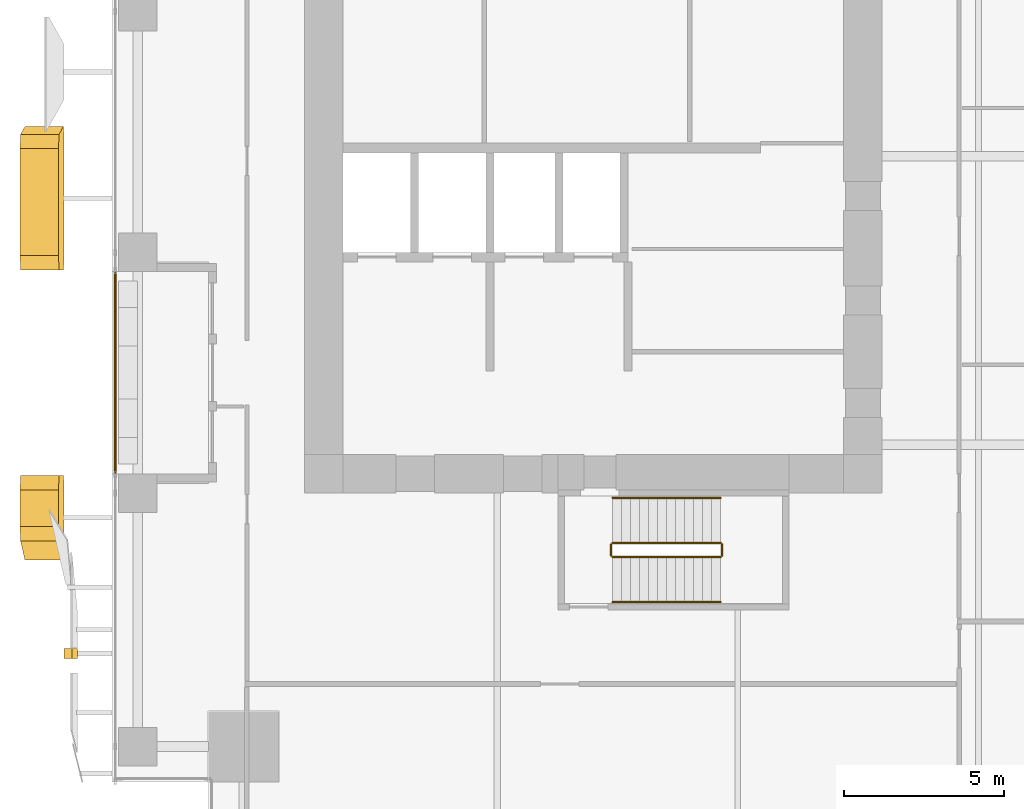
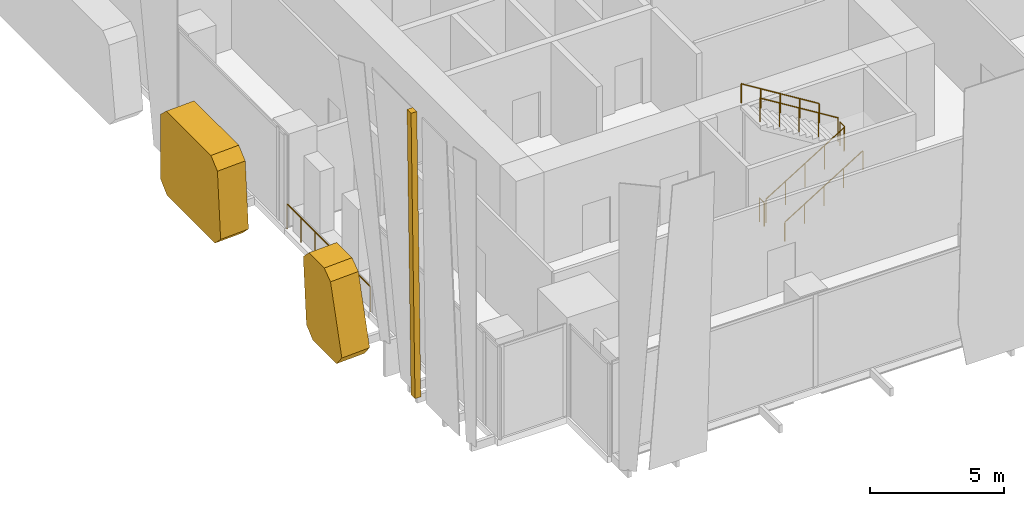
# One storey, part 32 of 36: 7 railings, 3 coverings.
"""IFC4 building model written with IfcOpenShell, lengths in metres."""

from ifc_helpers import new_model, si_unit, direction, frame, origin, origin_2d, place, context, subcontext, project, spatial, polyline, circle, outline, extrude, source, transform, mapped, material, layer, layer_set, type_object, element, save


model = new_model("IFC4")

# Units and contexts
model_context = context("Model", 3, precision=1e-05, world=origin(), true_north=direction((0.0, 1.0)))
body_context = subcontext(model_context, "Body", "Model", "MODEL_VIEW")
ifc_project = project(units=[si_unit("LENGTHUNIT", "METRE"), si_unit("AREAUNIT", "SQUARE_METRE"), si_unit("VOLUMEUNIT", "CUBIC_METRE"), si_unit("PLANEANGLEUNIT", "RADIAN"), si_unit("MASSUNIT", "GRAM", prefix="KILO")], contexts=[model_context])

# Site, building, storey
site_placement = place(None, origin())
site = spatial("IfcSite", under=ifc_project, at=site_placement, CompositionType="ELEMENT")
building_placement = place(site_placement, origin())
building = spatial("IfcBuilding", under=site, at=building_placement, Name="Khomas Fold Tower", CompositionType="ELEMENT")
storey_placement = place(building_placement, frame((0.0, 0.0, 46.5)))
storey = spatial("IfcBuildingStorey", under=building, at=storey_placement, Name="L09", CompositionType="ELEMENT", Elevation=46.5)

# Coverings
ifc_material_1 = material(Name="Natural stone cladding", Category="masonry")
ifc_layer_1 = layer(ifc_material_1, 0.25)
ifc_layer_set_1 = layer_set([ifc_layer_1], Name="Natural stone cladding")
covering_type_1 = type_object("IfcCoveringType", Name="SK-Karibib marble stone mullion", PredefinedType="CLADDING", material=ifc_layer_set_1)
covering_1_placement = place(storey_placement, frame((-1.077392578125, 6.85009765625, 0.0), z_axis=(0.999913772879, 0.0, 0.013131900334), x_axis=(-0.013131900334, 0.0, 0.999913772879)))
element("IfcCovering", 1, at=covering_1_placement, inside=storey, type_object=covering_type_1, Name="OUTER SKIN mullion L09 WM099-3", PredefinedType="CLADDING", context=body_context, shape_type="SweptSolid", body=[
    extrude(outline(polyline([(0.0, 0.0), (13.051174193298111, 0.0), (13.051174193298111, -0.29980468749999994), (0.0, -0.29980468749999994), (0.0, 0.0)])), origin(), (0.0, 0.0, -1.0), 0.25),
])
ifc_material_2 = material(Name="Natural stone cladding", Category="masonry")
ifc_layer_2 = layer(ifc_material_2, 1.199951171875)
ifc_layer_set_2 = layer_set([ifc_layer_2], Name="Natural stone cladding")
covering_type_2 = type_object("IfcCoveringType", Name="SK-Karibib marble stone panel", PredefinedType="CLADDING", material=ifc_layer_set_2)
covering_2_placement = place(storey_placement, frame((-1.510986328125, 18.949951171875, 0.449951171875), z_axis=(0.999041276228, -1.5719055e-05, 0.043778169737), x_axis=(-0.043778169743, 5.01e-10, 0.999041276351)))
element("IfcCovering", 2, at=covering_2_placement, inside=storey, type_object=covering_type_2, Name="OUTER SKIN leaf L09 WS05-1", PredefinedType="CLADDING", context=body_context, shape_type="SweptSolid", body=[
    extrude(outline(polyline([(0.0, 0.0), (3.1531651012372257, 0.0), (3.6035506249158717, -0.44995117067601975), (3.6035506265831567, -3.7797851546396375), (3.1883517764044336, -4.228271485023944), (0.035186675290796894, -4.47509765686845), (-0.4503855214373032, -4.026367188145956), (-0.4503855232280547, -0.4499511729628024), (0.0, 0.0)])), origin(), (0.0, 0.0, -1.0), 1.199951171875),
])
covering_3_placement = place(storey_placement, frame((-1.64892578125, 12.550048828125, 3.60009765625), z_axis=(0.99904149179, 2.1538509e-05, 0.043773247747), x_axis=(0.043773247757, 5.8e-10, -0.999041492022)))
element("IfcCovering", 3, at=covering_3_placement, inside=storey, type_object=covering_type_2, Name="OUTER SKIN leaf L09 WS05-2", PredefinedType="CLADDING", context=body_context, shape_type="SweptSolid", body=[
    extrude(outline(polyline([(0.0, 0.0), (3.153165101693798, 0.0), (3.6035506245930407, -0.4499511733373258), (3.6035506235772456, -2.201416016681067), (3.068125295976219, -2.643310547513845), (-0.08479589875244622, -2.0383300786741354), (-0.4503855240860832, -1.5964355449380072), (-0.450385523421158, -0.4499511702039385), (0.0, 0.0)])), origin(), (0.0, 0.0, -1.0), 1.199951171875),
])

# Railings
ifc_material_3 = material(Name="Powder-coated steel", Category="steel")
railing_type_1 = type_object("IfcRailingType", Name="Balcony guard", PredefinedType="GUARDRAIL", material=ifc_material_3)
shared_shape_1 = source(origin(), body_context, "Body", "SweptSolid", [
    extrude(circle(Radius=0.02490234375, at=origin_2d()), frame((0.0, 0.0, 1.125), z_axis=(0.0, 1.0, 0.0), x_axis=(-1.0, 0.0, 0.0)), (0.0, 0.0, 1.0), 6.240234375),
    extrude(circle(Radius=0.02001953125, at=origin_2d()), origin(), (0.0, 0.0, 1.0), 1.099853515625),
    extrude(circle(Radius=0.02001953125, at=origin_2d()), frame((0.0, 1.0400390625, 0.0)), (0.0, 0.0, 1.0), 1.099853515625),
    extrude(circle(Radius=0.02001953125, at=origin_2d()), frame((0.0, 2.080078125, 0.0)), (0.0, 0.0, 1.0), 1.099853515625),
    extrude(circle(Radius=0.02001953125, at=origin_2d()), frame((0.0, 3.1201171875, 0.0)), (0.0, 0.0, 1.0), 1.099853515625),
    extrude(circle(Radius=0.02001953125, at=origin_2d()), frame((0.0, 4.16015625, 0.0)), (0.0, 0.0, 1.0), 1.099853515625),
    extrude(circle(Radius=0.02001953125, at=origin_2d()), frame((0.0, 5.2001953125, 0.0)), (0.0, 0.0, 1.0), 1.099853515625),
    extrude(circle(Radius=0.02001953125, at=origin_2d()), frame((0.0, 6.240234375, 0.0)), (0.0, 0.0, 1.0), 1.099853515625),
])
railing_1_placement = place(storey_placement, frame((0.10009765625, 12.6298828125, -0.044921875)))
element("IfcRailing", 4, at=railing_1_placement, inside=storey, type_object=railing_type_1, Name="Balcony guard BAL-L09-W1", PredefinedType="GUARDRAIL", context=body_context, shape_type="MappedRepresentation", body=[
    mapped(shared_shape_1, transform((0.0, 0.0, 0.0))),
])
ifc_material_4 = material(Name="Steel balustrade", Category="steel")
railing_type_2 = type_object("IfcRailingType", Name="Stair guard", PredefinedType="GUARDRAIL", material=ifc_material_4)
shared_shape_2 = source(origin(), body_context, "Body", "SweptSolid", [
    extrude(circle(Radius=0.02392578125, at=origin_2d()), frame((0.0, 0.0, 1.076171875), z_axis=(0.850606129759, 0.0, 0.525803396734), x_axis=(0.0, 1.0, 0.0)), (0.0, 0.0, 1.0), 3.949951171875),
    extrude(circle(Radius=0.02099609375, at=origin_2d()), origin(), (0.0, 0.0, 1.0), 1.052001953125),
    extrude(circle(Radius=0.02099609375, at=origin_2d()), frame((0.83984375, 0.0, 0.519287109375)), (0.0, 0.0, 1.0), 1.052001953125),
    extrude(circle(Radius=0.02099609375, at=origin_2d()), frame((1.679931640625, 0.0, 1.03857421875)), (0.0, 0.0, 1.0), 1.052001953125),
    extrude(circle(Radius=0.02099609375, at=origin_2d()), frame((2.52001953125, 0.0, 1.5576171875)), (0.0, 0.0, 1.0), 1.052001953125),
    extrude(circle(Radius=0.02099609375, at=origin_2d()), frame((3.35986328125, 0.0, 2.076904296875)), (0.0, 0.0, 1.0), 1.052001953125),
])
railing_2_placement = place(storey_placement, frame((15.60009765625, 10.0, 0.173095703125)))
element("IfcRailing", 5, at=railing_2_placement, inside=storey, type_object=railing_type_2, Name="L09 ST2 stair guard 1", PredefinedType="GUARDRAIL", context=body_context, shape_type="MappedRepresentation", body=[
    mapped(shared_shape_2, transform((0.0, 0.0, 0.0))),
])
shared_shape_3 = source(origin(), body_context, "Body", "SweptSolid", [
    extrude(circle(Radius=0.02392578125, at=origin_2d()), frame((0.0, 0.0, 1.076171875), z_axis=(0.0, 1.0, 0.0), x_axis=(-1.0, 0.0, 0.0)), (0.0, 0.0, 1.0), 0.349853515625),
    extrude(circle(Radius=0.02099609375, at=origin_2d()), origin(), (0.0, 0.0, 1.0), 1.052001953125),
    extrude(circle(Radius=0.02099609375, at=origin_2d()), frame((0.0, 0.349853515625, 0.0)), (0.0, 0.0, 1.0), 1.052001953125),
])
for number, where, name in (
    (6, (19.010009765625, 10.050048828125, 2.25), "L09 ST2 stair guard 2"),
    (7, (15.550048828125, 10.050048828125, 0.0), "L09 ST2 stair guard 4"),
):
    element("IfcRailing", number, at=place(storey_placement, frame(where)), inside=storey, type_object=railing_type_2, Name=name, PredefinedType="GUARDRAIL", context=body_context, shape_type="MappedRepresentation", body=[
        mapped(shared_shape_3, transform((0.0, 0.0, 0.0))),
    ])
shared_shape_4 = source(origin(), body_context, "Body", "SweptSolid", [
    extrude(circle(Radius=0.02392578125, at=origin_2d()), frame((0.0, 0.0, 1.076171875), z_axis=(-0.850606129759, 0.0, 0.525803396734), x_axis=(0.0, -1.0, 0.0)), (0.0, 0.0, 1.0), 3.949951171875),
    extrude(circle(Radius=0.02099609375, at=origin_2d()), origin(), (0.0, 0.0, 1.0), 1.052001953125),
    extrude(circle(Radius=0.02099609375, at=origin_2d()), frame((-0.83984375, 0.0, 0.519287109375)), (0.0, 0.0, 1.0), 1.052001953125),
    extrude(circle(Radius=0.02099609375, at=origin_2d()), frame((-1.679931640625, 0.0, 1.03857421875)), (0.0, 0.0, 1.0), 1.052001953125),
    extrude(circle(Radius=0.02099609375, at=origin_2d()), frame((-2.52001953125, 0.0, 1.5576171875)), (0.0, 0.0, 1.0), 1.052001953125),
    extrude(circle(Radius=0.02099609375, at=origin_2d()), frame((-3.35986328125, 0.0, 2.076904296875)), (0.0, 0.0, 1.0), 1.052001953125),
])
railing_3_placement = place(storey_placement, frame((18.9599609375, 10.449951171875, 2.423095703125)))
element("IfcRailing", 8, at=railing_3_placement, inside=storey, type_object=railing_type_2, Name="L09 ST2 stair guard 3", PredefinedType="GUARDRAIL", context=body_context, shape_type="MappedRepresentation", body=[
    mapped(shared_shape_4, transform((0.0, 0.0, 0.0))),
])
ifc_material_5 = material(Name="Steel handrail", Category="steel")
railing_type_3 = type_object("IfcRailingType", Name="Stair handrail", PredefinedType="HANDRAIL", material=ifc_material_5)
shared_shape_5 = source(origin(), body_context, "Body", "SweptSolid", [
    extrude(circle(Radius=0.02392578125, at=origin_2d()), frame((0.0, 0.0, 0.8759765625), z_axis=(0.850606129759, 0.0, 0.525803396734), x_axis=(0.0, 1.0, 0.0)), (0.0, 0.0, 1.0), 3.949951171875),
    extrude(circle(Radius=0.02099609375, at=origin_2d()), origin(), (0.0, 0.0, 1.0), 0.851806640625),
    extrude(circle(Radius=0.02099609375, at=origin_2d()), frame((0.83984375, 0.0, 0.519287109375)), (0.0, 0.0, 1.0), 0.851806640625),
    extrude(circle(Radius=0.02099609375, at=origin_2d()), frame((1.679931640625, 0.0, 1.03857421875)), (0.0, 0.0, 1.0), 0.851806640625),
    extrude(circle(Radius=0.02099609375, at=origin_2d()), frame((2.52001953125, 0.0, 1.5576171875)), (0.0, 0.0, 1.0), 0.851806640625),
    extrude(circle(Radius=0.02099609375, at=origin_2d()), frame((3.35986328125, 0.0, 2.076904296875)), (0.0, 0.0, 1.0), 0.851806640625),
])
railing_4_placement = place(storey_placement, frame((15.60009765625, 8.60009765625, 0.173095703125)))
element("IfcRailing", 9, at=railing_4_placement, inside=storey, type_object=railing_type_3, Name="L09 ST2 stair handrail 1", PredefinedType="HANDRAIL", context=body_context, shape_type="MappedRepresentation", body=[
    mapped(shared_shape_5, transform((0.0, 0.0, 0.0))),
])
shared_shape_6 = source(origin(), body_context, "Body", "SweptSolid", [
    extrude(circle(Radius=0.02392578125, at=origin_2d()), frame((0.0, 0.0, 0.8759765625), z_axis=(-0.850606129759, 0.0, 0.525803396734), x_axis=(0.0, -1.0, 0.0)), (0.0, 0.0, 1.0), 3.949951171875),
    extrude(circle(Radius=0.02099609375, at=origin_2d()), origin(), (0.0, 0.0, 1.0), 0.851806640625),
    extrude(circle(Radius=0.02099609375, at=origin_2d()), frame((-0.83984375, 0.0, 0.519287109375)), (0.0, 0.0, 1.0), 0.851806640625),
    extrude(circle(Radius=0.02099609375, at=origin_2d()), frame((-1.679931640625, 0.0, 1.03857421875)), (0.0, 0.0, 1.0), 0.851806640625),
    extrude(circle(Radius=0.02099609375, at=origin_2d()), frame((-2.52001953125, 0.0, 1.5576171875)), (0.0, 0.0, 1.0), 0.851806640625),
    extrude(circle(Radius=0.02099609375, at=origin_2d()), frame((-3.35986328125, 0.0, 2.076904296875)), (0.0, 0.0, 1.0), 0.851806640625),
])
railing_5_placement = place(storey_placement, frame((18.9599609375, 11.85009765625, 2.423095703125)))
element("IfcRailing", 10, at=railing_5_placement, inside=storey, type_object=railing_type_3, Name="L09 ST2 stair handrail 2", PredefinedType="HANDRAIL", context=body_context, shape_type="MappedRepresentation", body=[
    mapped(shared_shape_6, transform((0.0, 0.0, 0.0))),
])

save(model, "model.ifc")
